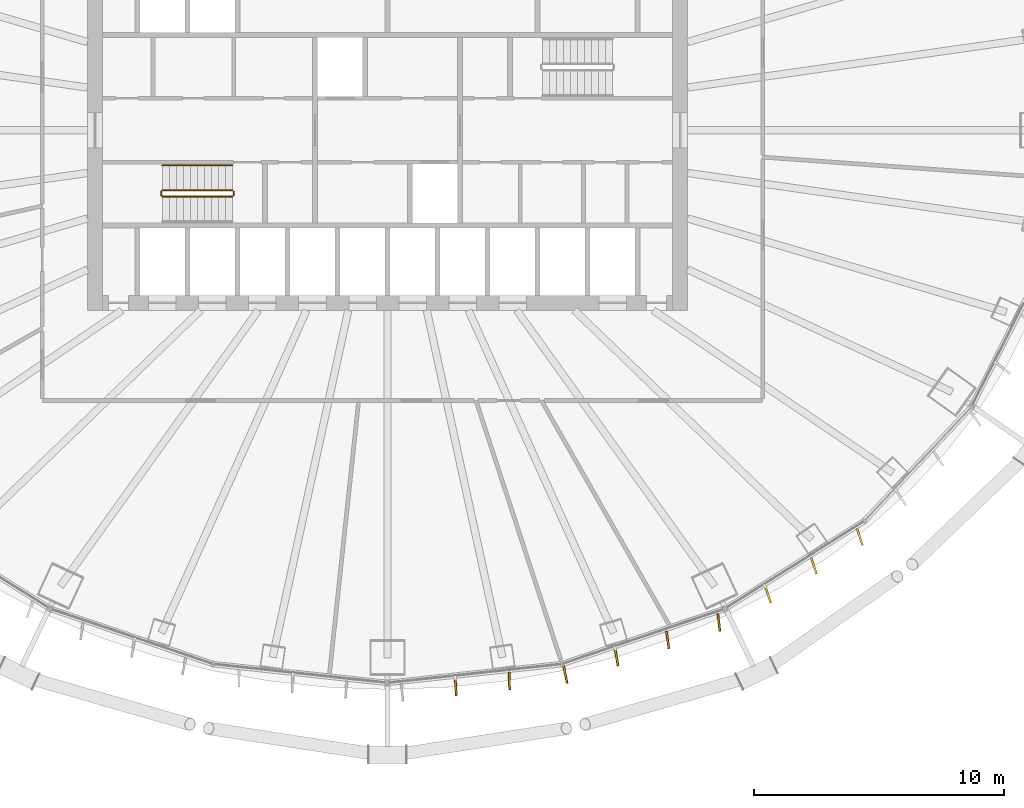
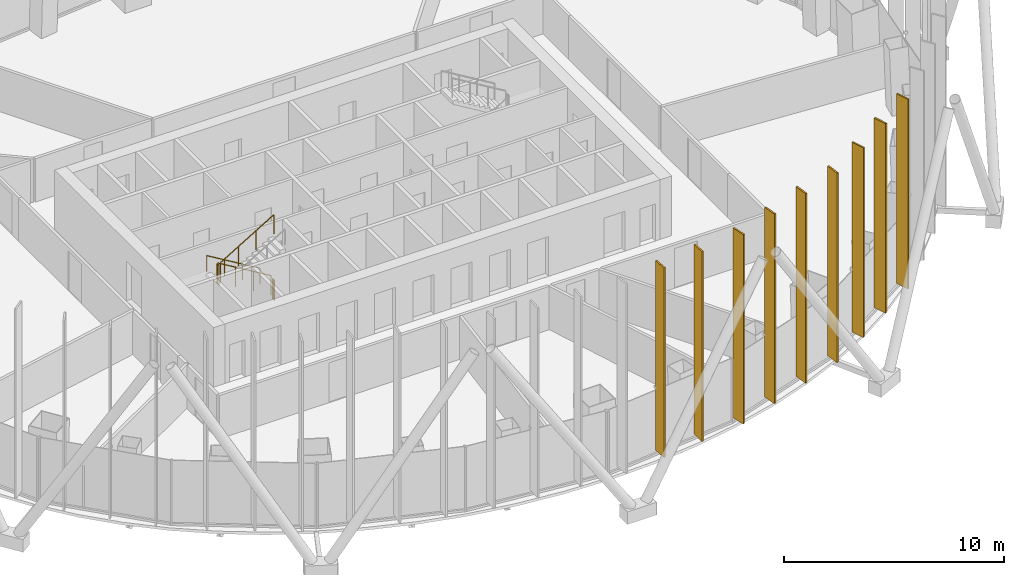
# One storey, part 19 of 21: 9 shading devices, 5 railings.
"""IFC4 building model written with IfcOpenShell, lengths in metres."""

from ifc_helpers import new_model, si_unit, direction, frame, origin, origin_2d, place, context, subcontext, project, spatial, rectangle, circle, extrude, material, layer, layer_set, type_object, element, save


model = new_model("IFC4")

# Units and contexts
model_context = context("Model", 3, precision=1e-05, world=origin(), true_north=direction((0.0, 1.0)))
body_context = subcontext(model_context, "Body", "Model", "MODEL_VIEW")
ifc_project = project(units=[si_unit("LENGTHUNIT", "METRE"), si_unit("AREAUNIT", "SQUARE_METRE"), si_unit("VOLUMEUNIT", "CUBIC_METRE"), si_unit("PLANEANGLEUNIT", "RADIAN"), si_unit("MASSUNIT", "GRAM", prefix="KILO")], contexts=[model_context])

# Site, building, storey
site_placement = place(None, origin())
site = spatial("IfcSite", under=ifc_project, at=site_placement, CompositionType="ELEMENT")
building_placement = place(site_placement, origin())
building = spatial("IfcBuilding", under=site, at=building_placement, Name="Siaravel Broadcast Tower", CompositionType="ELEMENT")
storey_placement = place(building_placement, frame((0.0, 0.0, 70.39990234375)))
storey = spatial("IfcBuildingStorey", under=building, at=storey_placement, Name="L16", CompositionType="ELEMENT", Elevation=70.39990234375)

# Shading devices
ifc_material_1 = material(Name="Bronze anodised aluminium", Category="aluminium")
ifc_layer = layer(ifc_material_1, 0.080078125)
ifc_layer_set = layer_set([ifc_layer], Name="Bronze anodised aluminium")
shading_device_type = type_object("IfcShadingDeviceType", Name="Bronze fin zone 1", PredefinedType="USERDEFINED", material=ifc_layer_set)
for number, where, z_axis, x_axis, name in (
    (1, (2.727783203125, -22.251220703125, 0.300048828125), (0.0, 0.0, 1.0), (0.058386437, -0.998294057, 0.0), "Bronze fin L16-55"),
    (2, (4.87158203125, -22.019287109375, 0.300048828125), (0.0, 0.0, 1.0), (0.020307255, -0.999793786, 0.0), "Bronze fin L16-56"),
    (3, (7.1123046875, -21.76708984375, 0.300048828125), (0.0, 0.0, 1.0), (0.203026559, -0.979173231, 0.0), "Bronze fin L16-57"),
    (4, (9.156005859375, -21.072021484375, 0.300048828125), (0.0, 0.0, 1.0), (0.170575818, -0.985344554, 0.0), "Bronze fin L16-58"),
    (5, (11.20068359375, -20.37646484375, 0.300048828125), (0.0, 0.0, 1.0), (0.141917173, -0.989878536, 0.0), "Bronze fin L16-59"),
    (6, (13.247314453125, -19.680419921875, 0.300048828125), (0.0, 0.0, 1.0), (0.118320781, -0.992975424, 0.0), "Bronze fin L16-60"),
    (7, (15.210693359375, -18.566650390625, 0.300048828125), (0.0, 0.0, 1.0), (0.327869274, -0.944723102, 0.0), "Bronze fin L16-61"),
    (8, (17.043701171875, -17.413330078125, 0.300048828125), (0.0, 0.0, 1.0), (0.316377628, -0.948633331, 0.0), "Bronze fin L16-62"),
    (9, (18.879150390625, -16.259033203125, 0.300048828125), (0.0, 0.0, 1.0), (0.311645102, -0.950198574, 0.0), "Bronze fin L16-63"),
):
    element("IfcShadingDevice", number, at=place(storey_placement, frame(where, z_axis=z_axis, x_axis=x_axis)), inside=storey, type_object=shading_device_type, Name=name, ObjectType="FIN", PredefinedType="USERDEFINED", context=body_context, shape_type="SweptSolid", body=[
        extrude(rectangle(XDim=0.699951171875, YDim=0.080078125, at=origin_2d()), origin(), (0.0, 0.0, 1.0), 10.5),
    ])

# Railings
ifc_material_2 = material(Name="Stainless steel 316L", Category="steel")
railing_type_1 = type_object("IfcRailingType", Name="Stair guard 1100", PredefinedType="GUARDRAIL", material=ifc_material_2)
railing_1_placement = place(storey_placement, frame((-6.199951171875, -2.39990234375, 0.168212890625)))
element("IfcRailing", 10, at=railing_1_placement, inside=storey, type_object=railing_type_1, Name="L16 ST-1 stair guard 1", PredefinedType="GUARDRAIL", context=body_context, shape_type="SweptSolid", body=[
    extrude(circle(Radius=0.02392578125, at=origin_2d()), frame((0.0, 0.0, 1.076171875), z_axis=(-0.857242211, 0.0, 0.514913383), x_axis=(0.0, -1.0, 0.0)), (0.0, 0.0, 1.0), 3.266357421875),
    extrude(circle(Radius=0.02099609375, at=origin_2d()), origin(), (0.0, 0.0, 1.0), 1.052001953125),
    extrude(circle(Radius=0.02099609375, at=origin_2d()), frame((-0.933349609375, 0.0, 0.560546875)), (0.0, 0.0, 1.0), 1.052001953125),
    extrude(circle(Radius=0.02099609375, at=origin_2d()), frame((-1.86669921875, 0.0, 1.121337890625)), (0.0, 0.0, 1.0), 1.052001953125),
    extrude(circle(Radius=0.02099609375, at=origin_2d()), frame((-2.800048828125, 0.0, 1.681884765625)), (0.0, 0.0, 1.0), 1.052001953125),
])
railing_2_placement = place(storey_placement, frame((-9.050048828125, -2.449951171875, 1.85009765625)))
element("IfcRailing", 11, at=railing_2_placement, inside=storey, type_object=railing_type_1, Name="L16 ST-1 stair guard 2", PredefinedType="GUARDRAIL", context=body_context, shape_type="SweptSolid", body=[
    extrude(circle(Radius=0.02392578125, at=origin_2d()), frame((0.0, 0.0, 1.076171875), z_axis=(0.0, -1.0, 0.0), x_axis=(1.0, 0.0, 0.0)), (0.0, 0.0, 1.0), 0.150146484375),
    extrude(circle(Radius=0.02099609375, at=origin_2d()), origin(), (0.0, 0.0, 1.0), 1.052001953125),
    extrude(circle(Radius=0.02099609375, at=origin_2d()), frame((0.0, -0.150146484375, 0.0)), (0.0, 0.0, 1.0), 1.052001953125),
])
railing_3_placement = place(storey_placement, frame((-9.0, -2.64990234375, 2.018310546875)))
element("IfcRailing", 12, at=railing_3_placement, inside=storey, type_object=railing_type_1, Name="L16 ST-1 stair guard 3", PredefinedType="GUARDRAIL", context=body_context, shape_type="SweptSolid", body=[
    extrude(circle(Radius=0.02392578125, at=origin_2d()), frame((0.0, 0.0, 1.076171875), z_axis=(0.857242211, 0.0, 0.514913383), x_axis=(0.0, 1.0, 0.0)), (0.0, 0.0, 1.0), 3.266357421875),
    extrude(circle(Radius=0.02099609375, at=origin_2d()), origin(), (0.0, 0.0, 1.0), 1.052001953125),
    extrude(circle(Radius=0.02099609375, at=origin_2d()), frame((0.933349609375, 0.0, 0.560546875)), (0.0, 0.0, 1.0), 1.052001953125),
    extrude(circle(Radius=0.02099609375, at=origin_2d()), frame((1.86669921875, 0.0, 1.121337890625)), (0.0, 0.0, 1.0), 1.052001953125),
    extrude(circle(Radius=0.02099609375, at=origin_2d()), frame((2.800048828125, 0.0, 1.681884765625)), (0.0, 0.0, 1.0), 1.052001953125),
])
railing_4_placement = place(storey_placement, frame((-6.14990234375, -2.449951171875, 0.0)))
element("IfcRailing", 13, at=railing_4_placement, inside=storey, type_object=railing_type_1, Name="L16 ST-1 stair guard 4", PredefinedType="GUARDRAIL", context=body_context, shape_type="SweptSolid", body=[
    extrude(circle(Radius=0.02392578125, at=origin_2d()), frame((0.0, 0.0, 1.076171875), z_axis=(0.0, -1.0, 0.0), x_axis=(1.0, 0.0, 0.0)), (0.0, 0.0, 1.0), 0.150146484375),
    extrude(circle(Radius=0.02099609375, at=origin_2d()), origin(), (0.0, 0.0, 1.0), 1.052001953125),
    extrude(circle(Radius=0.02099609375, at=origin_2d()), frame((0.0, -0.150146484375, 0.0)), (0.0, 0.0, 1.0), 1.052001953125),
])
railing_type_2 = type_object("IfcRailingType", Name="Stair handrail 900", PredefinedType="HANDRAIL", material=ifc_material_2)
railing_5_placement = place(storey_placement, frame((-6.199951171875, -1.39990234375, 0.168212890625)))
element("IfcRailing", 14, at=railing_5_placement, inside=storey, type_object=railing_type_2, Name="L16 ST-1 stair handrail 1", PredefinedType="HANDRAIL", context=body_context, shape_type="SweptSolid", body=[
    extrude(circle(Radius=0.02392578125, at=origin_2d()), frame((0.0, 0.0, 0.8759765625), z_axis=(-0.857242211, 0.0, 0.514913383), x_axis=(0.0, -1.0, 0.0)), (0.0, 0.0, 1.0), 3.266357421875),
    extrude(circle(Radius=0.02099609375, at=origin_2d()), origin(), (0.0, 0.0, 1.0), 0.851806640625),
    extrude(circle(Radius=0.02099609375, at=origin_2d()), frame((-0.933349609375, 0.0, 0.560546875)), (0.0, 0.0, 1.0), 0.851806640625),
    extrude(circle(Radius=0.02099609375, at=origin_2d()), frame((-1.86669921875, 0.0, 1.121337890625)), (0.0, 0.0, 1.0), 0.851806640625),
    extrude(circle(Radius=0.02099609375, at=origin_2d()), frame((-2.800048828125, 0.0, 1.681884765625)), (0.0, 0.0, 1.0), 0.851806640625),
])

save(model, "model.ifc")
